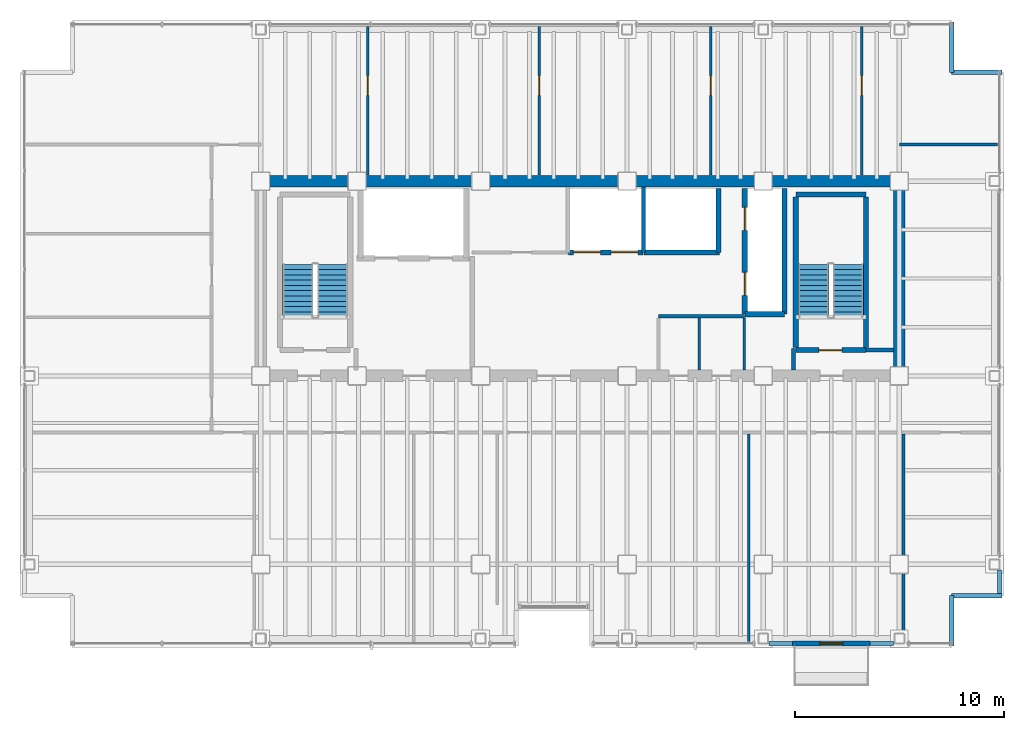
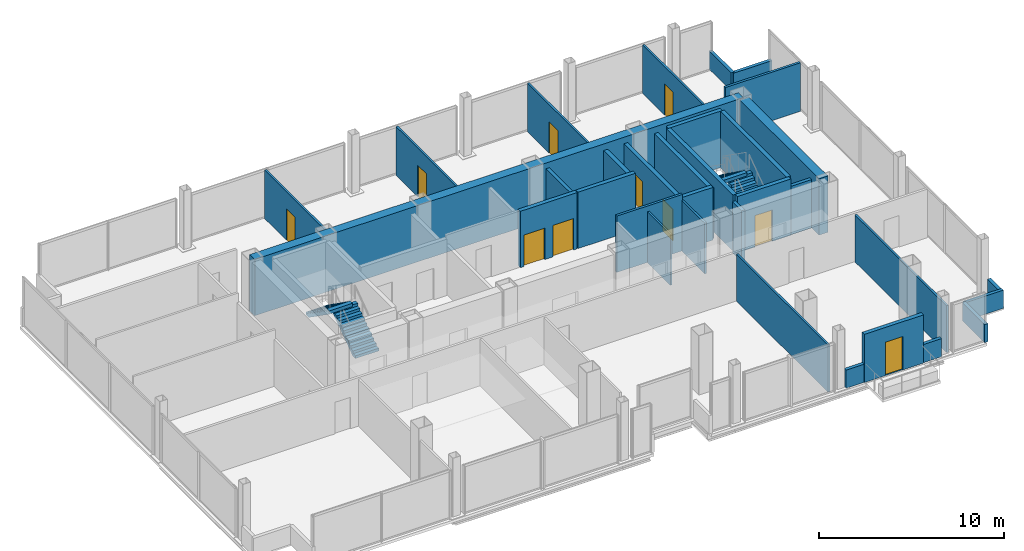
# One storey, part 17 of 19: 33 walls, 10 doors, 4 stair flights, 10 openings, 2 elements without a shape of their own.
"""IFC4 building model written with IfcOpenShell, lengths in metres."""

from ifc_helpers import new_model, si_unit, direction, frame, frame_2d, origin, place, context, subcontext, project, spatial, polyline, rectangle, outline, extrude, material, layer, layer_set, type_object, element, fill, aggregate, save


model = new_model("IFC4")

# Units and contexts
model_context = context("Model", 3, precision=1e-05, world=origin(), true_north=direction((0.0, 1.0)))
body_context = subcontext(model_context, "Body", "Model", "MODEL_VIEW")
ifc_project = project(units=[si_unit("LENGTHUNIT", "METRE"), si_unit("AREAUNIT", "SQUARE_METRE"), si_unit("VOLUMEUNIT", "CUBIC_METRE"), si_unit("PLANEANGLEUNIT", "RADIAN"), si_unit("MASSUNIT", "GRAM", prefix="KILO")], contexts=[model_context])

# Site, building, storey
site_placement = place(None, origin())
site = spatial("IfcSite", under=ifc_project, at=site_placement, CompositionType="ELEMENT")
building_placement = place(site_placement, origin())
building = spatial("IfcBuilding", under=site, at=building_placement, Name="Noeulbin Bourse Tower", CompositionType="ELEMENT")
storey_placement = place(building_placement, frame((0.0, 0.0, 150.0)))
storey = spatial("IfcBuildingStorey", under=building, at=storey_placement, Name="L37", CompositionType="ELEMENT", Elevation=150.0)

# Walls
ifc_material_1 = material(Name="Concrete C60/75", Category="concrete")
ifc_layer_1 = layer(ifc_material_1, 0.550048828125)
ifc_layer_set_1 = layer_set([ifc_layer_1], Name="Concrete C60/75")
wall_type_1 = type_object("IfcWallType", Name="WAL-CORE-550", PredefinedType="SHEAR", material=ifc_layer_set_1)
wall_1_placement = place(storey_placement, frame((13.5, 38.300048828125, 0.0), z_axis=(0.0, 0.0, 1.0), x_axis=(1.0, 0.0, 0.0)))
element("IfcWall", 1, at=wall_1_placement, inside=storey, type_object=wall_type_1, Name="Rear Core North Shear Wall L37", PredefinedType="SHEAR", context=body_context, shape_type="SweptSolid", body=[
    extrude(rectangle(XDim=30.5, YDim=0.550048828125, at=frame_2d((15.25, 0.0))), origin(), (0.0, 0.0, 1.0), 3.719970703125),
])
wall_2_placement = place(storey_placement, frame((44.0, 29.35009765625, 0.0), z_axis=(0.0, 0.0, 1.0), x_axis=(0.0, 1.0, 0.0)))
element("IfcWall", 2, at=wall_2_placement, inside=storey, type_object=wall_type_1, Name="Rear Core East Shear Wall L37", PredefinedType="SHEAR", context=body_context, shape_type="SweptSolid", body=[
    extrude(rectangle(XDim=8.599853515625, YDim=0.550048828125, at=frame_2d((4.2998046875, 0.0))), origin(), (0.0, 0.0, 1.0), 3.719970703125),
])

# Wall, opening, door
ifc_material_2 = material(Name="Precast Concrete C40/50", Category="concrete")
ifc_layer_2 = layer(ifc_material_2, 0.25)
ifc_layer_set_2 = layer_set([ifc_layer_2], Name="Precast Concrete C40/50")
wall_type_2 = type_object("IfcWallType", Name="WAL-EXT-250", PredefinedType="STANDARD", material=ifc_layer_set_2)
wall_3_placement = place(storey_placement, frame((38.89990234375, 16.219970703125, 0.0), z_axis=(0.0, 0.0, 1.0), x_axis=(1.0, 0.0, 0.0)))
wall_3 = element("IfcWall", 3, at=wall_3_placement, inside=storey, type_object=wall_type_2, Name="Balcony Threshold Wall L37", PredefinedType="STANDARD", context=body_context, shape_type="SweptSolid", body=[
    extrude(rectangle(XDim=3.7001953125, YDim=0.25, at=frame_2d((1.85009765625, 0.0))), origin(), (0.0, 0.0, 1.0), 3.179931640625),
])
opening_1_placement = place(wall_3_placement, frame((1.300048828125, 0.0, 0.0)))
opening_1 = element("IfcOpeningElement", 4, at=opening_1_placement, cuts=wall_3, Name="Opening BD-11", PredefinedType="OPENING", context=body_context, shape_type="SweptSolid", body=[
    extrude(rectangle(XDim=1.10009765625, YDim=2.199951171875, at=frame_2d((0.550048828125, 1.10009765625))), frame((0.0, 0.135009765625, 0.0), z_axis=(0.0, -1.0, 0.0), x_axis=(1.0, 0.0, 0.0)), (0.0, 0.0, 1.0), 0.27001953125),
])
ifc_material_3 = material(Name="Thermally Broken Aluminium Framed Glass", Category="aluminium")
door_type_1 = type_object("IfcDoorType", Name="DR-BAL-1100", OperationType="SINGLE_SWING_LEFT", PredefinedType="DOOR", material=ifc_material_3)
door_1_placement = place(opening_1_placement, origin())
door_1 = element("IfcDoor", 5, at=door_1_placement, inside=storey, type_object=door_type_1, Name="Tree-Balcony Access Door BD-L37", OperationType="SINGLE_SWING_LEFT", OverallHeight=2.199951171875, OverallWidth=1.10009765625, PredefinedType="DOOR", context=body_context, shape_type="SweptSolid", body=[
    extrude(rectangle(XDim=1.10009765625, YDim=2.199951171875, at=frame_2d((0.550048828125, 1.10009765625))), frame((0.0, 0.02490234375, 0.0), z_axis=(0.0, -1.0, 0.0), x_axis=(1.0, 0.0, 0.0)), (0.0, 0.0, 1.0), 0.050048828125),
])
fill(opening_1, door_1)

# Walls
ifc_material_4 = material(Name="Concrete C40/50", Category="concrete")
ifc_layer_3 = layer(ifc_material_4, 0.199951171875)
ifc_layer_set_3 = layer_set([ifc_layer_3], Name="Concrete C40/50")
wall_type_3 = type_object("IfcWallType", Name="WAL-FIRE-200", PredefinedType="STANDARD", material=ifc_layer_set_3)
wall_4_placement = place(storey_placement, frame((42.39990234375, 30.239990234375, 0.0), z_axis=(0.0, 0.0, 1.0), x_axis=(1.0, 0.0, 0.0)))
element("IfcWall", 6, at=wall_4_placement, inside=storey, type_object=wall_type_3, Name="Interior Partition Wall L37-01", PredefinedType="STANDARD", context=body_context, shape_type="SweptSolid", body=[
    extrude(rectangle(XDim=1.315185546875, YDim=0.199951171875, at=frame_2d((0.65771484375, 0.0))), origin(), (0.0, 0.0, 1.0), 3.199951171875),
])
wall_5_placement = place(storey_placement, frame((38.949951171875, 29.284912109375, 0.0), z_axis=(0.0, 0.0, 1.0), x_axis=(0.0, 1.0, 0.0)))
element("IfcWall", 7, at=wall_5_placement, inside=storey, type_object=wall_type_3, Name="Interior Partition Wall L37-10", PredefinedType="STANDARD", context=body_context, shape_type="SweptSolid", body=[
    extrude(rectangle(XDim=1.01513671875, YDim=0.199951171875, at=frame_2d((0.507568359375, 0.0))), origin(), (0.0, 0.0, 1.0), 3.35009765625),
])
ifc_layer_4 = layer(ifc_material_4, 0.199951171875)
ifc_layer_set_4 = layer_set([ifc_layer_4], Name="Concrete C40/50")
wall_type_4 = type_object("IfcWallType", Name="WAL-PAR-200", PredefinedType="PARAPET", material=ifc_layer_set_4)
for number, where, z_axis, x_axis, name in (
    (8, (48.780029296875, 18.60009765625, 0.0), (0.0, 0.0, 1.0), (0.0, 1.0, 0.0), "Perimeter Pier Spandrel Parapet L37-E2"),
    (9, (37.77001953125, 16.219970703125, 0.0), (0.0, 0.0, 1.0), (1.0, 0.0, 0.0), "Perimeter Pier Spandrel Parapet L37-S3"),
    (10, (42.60009765625, 16.219970703125, 0.0), (0.0, 0.0, 1.0), (1.0, 0.0, 0.0), "Perimeter Pier Spandrel Parapet L37-S4"),
):
    element("IfcWall", number, at=place(storey_placement, frame(where, z_axis=z_axis, x_axis=x_axis)), inside=storey, type_object=wall_type_4, Name=name, PredefinedType="PARAPET", context=body_context, shape_type="SweptSolid", body=[
        extrude(rectangle(XDim=1.1298828125, YDim=0.199951171875, at=frame_2d((0.56494140625, 0.0))), origin(), (0.0, 0.0, 1.0), 1.199951171875),
    ])
for number, where, z_axis, x_axis, name in (
    (11, (46.5, 16.10009765625, 0.0), (0.0, 0.0, 1.0), (0.0, 1.0, 0.0), "Corner Notch Parapet L37-SE1"),
    (12, (46.5, 18.5, 0.0), (0.0, 0.0, 1.0), (1.0, 0.0, 0.0), "Corner Notch Parapet L37-SE2"),
    (13, (46.5, 45.89990234375, 0.0), (0.0, 0.0, 1.0), (0.0, -1.0, 0.0), "Corner Notch Parapet L37-NE1"),
    (14, (46.5, 43.5, 0.0), (0.0, 0.0, 1.0), (1.0, 0.0, 0.0), "Corner Notch Parapet L37-NE2"),
):
    element("IfcWall", number, at=place(storey_placement, frame(where, z_axis=z_axis, x_axis=x_axis)), inside=storey, type_object=wall_type_4, Name=name, PredefinedType="PARAPET", context=body_context, shape_type="SweptSolid", body=[
        extrude(rectangle(XDim=2.39990234375, YDim=0.199951171875, at=frame_2d((1.199951171875, 0.0))), origin(), (0.0, 0.0, 1.0), 1.199951171875),
    ])
ifc_material_5 = material(Name="Steel Stud Gypsum Partition", Category="steel")
ifc_layer_5 = layer(ifc_material_5, 0.1201171875)
ifc_layer_set_5 = layer_set([ifc_layer_5], Name="Steel Stud Gypsum Partition")
wall_type_5 = type_object("IfcWallType", Name="WAL-PRT-120", PredefinedType="PARTITIONING", material=ifc_layer_set_5)
for number, where, z_axis, x_axis, name in (
    (15, (36.60009765625, 29.284912109375, 0.0), (0.0, 0.0, 1.0), (0.0, 1.0, 0.0), "Interior Partition Wall L37-13"),
    (16, (34.449951171875, 29.284912109375, 0.0), (0.0, 0.0, 1.0), (0.0, 1.0, 0.0), "Interior Partition Wall L37-14"),
):
    element("IfcWall", number, at=place(storey_placement, frame(where, z_axis=z_axis, x_axis=x_axis)), inside=storey, type_object=wall_type_5, Name=name, PredefinedType="PARTITIONING", context=body_context, shape_type="SweptSolid", body=[
        extrude(rectangle(XDim=2.47998046875, YDim=0.1201171875, at=frame_2d((1.239990234375, 0.0))), origin(), (0.0, 0.0, 1.0), 3.35009765625),
    ])
for number, where, z_axis, x_axis, name in (
    (17, (36.800048828125, 16.31005859375, 0.0), (0.0, 0.0, 1.0), (0.0, 1.0, 0.0), "Interior Partition Wall L37-19"),
    (18, (44.199951171875, 16.31005859375, 0.0), (0.0, 0.0, 1.0), (0.0, 1.0, 0.0), "Interior Partition Wall L37-20"),
):
    element("IfcWall", number, at=place(storey_placement, frame(where, z_axis=z_axis, x_axis=x_axis)), inside=storey, type_object=wall_type_5, Name=name, PredefinedType="PARTITIONING", context=body_context, shape_type="SweptSolid", body=[
        extrude(rectangle(XDim=9.905029296875, YDim=0.1201171875, at=frame_2d((4.95263671875, 0.0))), origin(), (0.0, 0.0, 1.0), 3.10009765625),
    ])

# Wall, opening, door
wall_6_placement = place(storey_placement, frame((18.60009765625, 38.5849609375, 0.0), z_axis=(0.0, 0.0, 1.0), x_axis=(0.0, 1.0, 0.0)))
wall_6 = element("IfcWall", 19, at=wall_6_placement, inside=storey, type_object=wall_type_5, Name="Interior Partition Wall L37-21", PredefinedType="PARTITIONING", context=body_context, shape_type="SweptSolid", body=[
    extrude(rectangle(XDim=7.10498046875, YDim=0.1201171875, at=frame_2d((3.552490234375, 0.0))), origin(), (0.0, 0.0, 1.0), 3.2119140625),
])
opening_2_placement = place(wall_6_placement, frame((3.81005859375, 0.0, 0.0)))
opening_2 = element("IfcOpeningElement", 20, at=opening_2_placement, cuts=wall_6, Name="Opening ID-09", PredefinedType="OPENING", context=body_context, shape_type="SweptSolid", body=[
    extrude(rectangle(XDim=0.949951171875, YDim=2.080078125, at=frame_2d((0.47509765625, 1.0400390625))), frame((0.0, 0.070068359375, 0.0), z_axis=(0.0, -1.0, 0.0), x_axis=(1.0, 0.0, 0.0)), (0.0, 0.0, 1.0), 0.14013671875),
])
ifc_material_6 = material(Name="Acoustic Solid-Core Timber", Category="wood")
door_type_2 = type_object("IfcDoorType", Name="DR-SINGLE-950", OperationType="SINGLE_SWING_LEFT", PredefinedType="DOOR", material=ifc_material_6)
door_2_placement = place(opening_2_placement, origin())
door_2 = element("IfcDoor", 21, at=door_2_placement, inside=storey, type_object=door_type_2, Name="Interior Door L37-18", OperationType="SINGLE_SWING_LEFT", OverallHeight=2.080078125, OverallWidth=0.949951171875, PredefinedType="DOOR", context=body_context, shape_type="SweptSolid", body=[
    extrude(rectangle(XDim=0.949951171875, YDim=2.080078125, at=frame_2d((0.47509765625, 1.0400390625))), frame((0.0, 0.02490234375, 0.0), z_axis=(0.0, -1.0, 0.0), x_axis=(1.0, 0.0, 0.0)), (0.0, 0.0, 1.0), 0.050048828125),
])
fill(opening_2, door_2)

wall_7_placement = place(storey_placement, frame((26.800048828125, 38.5849609375, 0.0), z_axis=(0.0, 0.0, 1.0), x_axis=(0.0, 1.0, 0.0)))
wall_7 = element("IfcWall", 22, at=wall_7_placement, inside=storey, type_object=wall_type_5, Name="Interior Partition Wall L37-22", PredefinedType="PARTITIONING", context=body_context, shape_type="SweptSolid", body=[
    extrude(rectangle(XDim=7.10498046875, YDim=0.1201171875, at=frame_2d((3.552490234375, 0.0))), origin(), (0.0, 0.0, 1.0), 3.2119140625),
])
opening_3_placement = place(wall_7_placement, frame((3.81005859375, 0.0, 0.0)))
opening_3 = element("IfcOpeningElement", 23, at=opening_3_placement, cuts=wall_7, Name="Opening ID-09", PredefinedType="OPENING", context=body_context, shape_type="SweptSolid", body=[
    extrude(rectangle(XDim=0.949951171875, YDim=2.080078125, at=frame_2d((0.47509765625, 1.0400390625))), frame((0.0, 0.070068359375, 0.0), z_axis=(0.0, -1.0, 0.0), x_axis=(1.0, 0.0, 0.0)), (0.0, 0.0, 1.0), 0.14013671875),
])
door_3_placement = place(opening_3_placement, origin())
door_3 = element("IfcDoor", 24, at=door_3_placement, inside=storey, type_object=door_type_2, Name="Interior Door L37-19", OperationType="SINGLE_SWING_RIGHT", OverallHeight=2.080078125, OverallWidth=0.949951171875, PredefinedType="DOOR", context=body_context, shape_type="SweptSolid", body=[
    extrude(rectangle(XDim=0.949951171875, YDim=2.080078125, at=frame_2d((0.47509765625, 1.0400390625))), frame((0.0, 0.02490234375, 0.0), z_axis=(0.0, -1.0, 0.0), x_axis=(1.0, 0.0, 0.0)), (0.0, 0.0, 1.0), 0.050048828125),
])
fill(opening_3, door_3)

wall_8_placement = place(storey_placement, frame((35.0, 38.5849609375, 0.0), z_axis=(0.0, 0.0, 1.0), x_axis=(0.0, 1.0, 0.0)))
wall_8 = element("IfcWall", 25, at=wall_8_placement, inside=storey, type_object=wall_type_5, Name="Interior Partition Wall L37-23", PredefinedType="PARTITIONING", context=body_context, shape_type="SweptSolid", body=[
    extrude(rectangle(XDim=7.10498046875, YDim=0.1201171875, at=frame_2d((3.552490234375, 0.0))), origin(), (0.0, 0.0, 1.0), 3.2119140625),
])
opening_4_placement = place(wall_8_placement, frame((3.81005859375, 0.0, 0.0)))
opening_4 = element("IfcOpeningElement", 26, at=opening_4_placement, cuts=wall_8, Name="Opening ID-09", PredefinedType="OPENING", context=body_context, shape_type="SweptSolid", body=[
    extrude(rectangle(XDim=0.949951171875, YDim=2.080078125, at=frame_2d((0.47509765625, 1.0400390625))), frame((0.0, 0.070068359375, 0.0), z_axis=(0.0, -1.0, 0.0), x_axis=(1.0, 0.0, 0.0)), (0.0, 0.0, 1.0), 0.14013671875),
])
door_4_placement = place(opening_4_placement, origin())
door_4 = element("IfcDoor", 27, at=door_4_placement, inside=storey, type_object=door_type_2, Name="Interior Door L37-20", OperationType="SINGLE_SWING_LEFT", OverallHeight=2.080078125, OverallWidth=0.949951171875, PredefinedType="DOOR", context=body_context, shape_type="SweptSolid", body=[
    extrude(rectangle(XDim=0.949951171875, YDim=2.080078125, at=frame_2d((0.47509765625, 1.0400390625))), frame((0.0, 0.02490234375, 0.0), z_axis=(0.0, -1.0, 0.0), x_axis=(1.0, 0.0, 0.0)), (0.0, 0.0, 1.0), 0.050048828125),
])
fill(opening_4, door_4)

wall_9_placement = place(storey_placement, frame((42.199951171875, 38.5849609375, 0.0), z_axis=(0.0, 0.0, 1.0), x_axis=(0.0, 1.0, 0.0)))
wall_9 = element("IfcWall", 28, at=wall_9_placement, inside=storey, type_object=wall_type_5, Name="Interior Partition Wall L37-24", PredefinedType="PARTITIONING", context=body_context, shape_type="SweptSolid", body=[
    extrude(rectangle(XDim=7.10498046875, YDim=0.1201171875, at=frame_2d((3.552490234375, 0.0))), origin(), (0.0, 0.0, 1.0), 3.2119140625),
])
opening_5_placement = place(wall_9_placement, frame((3.81005859375, 0.0, 0.0)))
opening_5 = element("IfcOpeningElement", 29, at=opening_5_placement, cuts=wall_9, Name="Opening ID-09", PredefinedType="OPENING", context=body_context, shape_type="SweptSolid", body=[
    extrude(rectangle(XDim=0.949951171875, YDim=2.080078125, at=frame_2d((0.47509765625, 1.0400390625))), frame((0.0, 0.070068359375, 0.0), z_axis=(0.0, -1.0, 0.0), x_axis=(1.0, 0.0, 0.0)), (0.0, 0.0, 1.0), 0.14013671875),
])
door_5_placement = place(opening_5_placement, origin())
door_5 = element("IfcDoor", 30, at=door_5_placement, inside=storey, type_object=door_type_2, Name="Interior Door L37-21", OperationType="SINGLE_SWING_RIGHT", OverallHeight=2.080078125, OverallWidth=0.949951171875, PredefinedType="DOOR", context=body_context, shape_type="SweptSolid", body=[
    extrude(rectangle(XDim=0.949951171875, YDim=2.080078125, at=frame_2d((0.47509765625, 1.0400390625))), frame((0.0, 0.02490234375, 0.0), z_axis=(0.0, -1.0, 0.0), x_axis=(1.0, 0.0, 0.0)), (0.0, 0.0, 1.0), 0.050048828125),
])
fill(opening_5, door_5)

# Walls
ifc_material_7 = material(Name="Steel Stud Acoustic Gypsum Board", Category="steel")
ifc_layer_6 = layer(ifc_material_7, 0.14990234375)
ifc_layer_set_6 = layer_set([ifc_layer_6], Name="Steel Stud Acoustic Gypsum Board")
wall_type_6 = type_object("IfcWallType", Name="WAL-PRT-150", PredefinedType="PARTITIONING", material=ifc_layer_set_6)
wall_10_placement = place(storey_placement, frame((32.5, 31.85009765625, 0.0), z_axis=(0.0, 0.0, 1.0), x_axis=(1.0, 0.0, 0.0)))
element("IfcWall", 31, at=wall_10_placement, inside=storey, type_object=wall_type_6, Name="Interior Partition Wall L37-03", PredefinedType="PARTITIONING", context=body_context, shape_type="SweptSolid", body=[
    extrude(rectangle(XDim=4.10009765625, YDim=0.14990234375, at=frame_2d((2.050048828125, 0.0))), origin(), (0.0, 0.0, 1.0), 3.719970703125),
])
wall_11_placement = place(storey_placement, frame((44.0, 40.050048828125, 0.0), z_axis=(0.0, 0.0, 1.0), x_axis=(1.0, 0.0, 0.0)))
element("IfcWall", 32, at=wall_11_placement, inside=storey, type_object=wall_type_6, Name="Interior Partition Wall L37-08", PredefinedType="PARTITIONING", context=body_context, shape_type="SweptSolid", body=[
    extrude(rectangle(XDim=4.68994140625, YDim=0.14990234375, at=frame_2d((2.344970703125, 0.0))), origin(), (0.0, 0.0, 1.0), 3.199951171875),
])

# Wall, opening, door
ifc_layer_7 = layer(ifc_material_4, 0.25)
ifc_layer_set_7 = layer_set([ifc_layer_7], Name="Concrete C40/50")
wall_type_7 = type_object("IfcWallType", Name="WAL-SHFT-250", PredefinedType="STANDARD", material=ifc_layer_set_7)
wall_12_placement = place(storey_placement, frame((39.06005859375, 30.235107421875, 0.0), z_axis=(0.0, 0.0, 1.0), x_axis=(1.0, 0.0, 0.0)))
wall_12 = element("IfcWall", 33, at=wall_12_placement, inside=storey, type_object=wall_type_7, Name="Stair ST-2 South Shaft Wall L37", PredefinedType="STANDARD", context=body_context, shape_type="SweptSolid", body=[
    extrude(rectangle(XDim=3.33984375, YDim=0.25, at=frame_2d((1.669921875, 0.0))), origin(), (0.0, 0.0, 1.0), 3.719970703125),
])
opening_6_placement = place(wall_12_placement, frame((1.10009765625, 0.0, 0.0)))
opening_6 = element("IfcOpeningElement", 34, at=opening_6_placement, cuts=wall_12, Name="Opening FD-11", PredefinedType="OPENING", context=body_context, shape_type="SweptSolid", body=[
    extrude(rectangle(XDim=1.10009765625, YDim=2.080078125, at=frame_2d((0.550048828125, 1.0400390625))), frame((0.0, 0.135009765625, 0.0), z_axis=(0.0, -1.0, 0.0), x_axis=(1.0, 0.0, 0.0)), (0.0, 0.0, 1.0), 0.27001953125),
])
ifc_material_8 = material(Name="Fire-Rated Insulated Steel", Category="steel")
door_type_3 = type_object("IfcDoorType", Name="DR-FD60-1100", OperationType="SINGLE_SWING_LEFT", PredefinedType="DOOR", material=ifc_material_8)
door_6_placement = place(opening_6_placement, origin())
door_6 = element("IfcDoor", 35, at=door_6_placement, inside=storey, type_object=door_type_3, Name="Protected Stair Entry Door ST2-L37", OperationType="SINGLE_SWING_LEFT", OverallHeight=2.080078125, OverallWidth=1.10009765625, PredefinedType="DOOR", context=body_context, shape_type="SweptSolid", body=[
    extrude(rectangle(XDim=1.10009765625, YDim=2.080078125, at=frame_2d((0.550048828125, 1.0400390625))), frame((0.0, 0.02490234375, 0.0), z_axis=(0.0, -1.0, 0.0), x_axis=(1.0, 0.0, 0.0)), (0.0, 0.0, 1.0), 0.050048828125),
])
fill(opening_6, door_6)

# Walls
wall_13_placement = place(storey_placement, frame((39.06005859375, 37.6689453125, 0.0), z_axis=(0.0, 0.0, 1.0), x_axis=(1.0, 0.0, 0.0)))
element("IfcWall", 36, at=wall_13_placement, inside=storey, type_object=wall_type_7, Name="Stair ST-2 North Shaft Wall L37", PredefinedType="STANDARD", context=body_context, shape_type="SweptSolid", body=[
    extrude(rectangle(XDim=3.33984375, YDim=0.25, at=frame_2d((1.669921875, 0.0))), origin(), (0.0, 0.0, 1.0), 3.719970703125),
])
for number, where, z_axis, x_axis, name in (
    (37, (39.054931640625, 30.360107421875, 0.0), (0.0, 0.0, 1.0), (0.0, 1.0, 0.0), "Stair ST-2 West Shaft Wall L37"),
    (38, (42.405029296875, 30.360107421875, 0.0), (0.0, 0.0, 1.0), (0.0, 1.0, 0.0), "Stair ST-2 East Shaft Wall L37"),
):
    element("IfcWall", number, at=place(storey_placement, frame(where, z_axis=z_axis, x_axis=x_axis)), inside=storey, type_object=wall_type_7, Name=name, PredefinedType="STANDARD", context=body_context, shape_type="SweptSolid", body=[
        extrude(rectangle(XDim=7.183837890625, YDim=0.25, at=frame_2d((3.591796875, 0.0))), origin(), (0.0, 0.0, 1.0), 3.719970703125),
    ])

# Wall, openings, doors
wall_14_placement = place(storey_placement, frame((36.6201171875, 31.949951171875, 0.0), z_axis=(0.0, 0.0, 1.0), x_axis=(0.0, 1.0, 0.0)))
wall_14 = element("IfcWall", 39, at=wall_14_placement, inside=storey, type_object=wall_type_7, Name="Service Lift Shaft Wall L37", PredefinedType="STANDARD", context=body_context, shape_type="SweptSolid", body=[
    extrude(rectangle(XDim=6.0, YDim=0.25, at=frame_2d((3.0, 0.0))), origin(), (0.0, 0.0, 1.0), 3.35009765625),
])
opening_7_placement = place(wall_14_placement, frame((0.89990234375, 0.0, 0.0)))
opening_7 = element("IfcOpeningElement", 40, at=opening_7_placement, cuts=wall_14, Name="Opening LD-11", PredefinedType="OPENING", context=body_context, shape_type="SweptSolid", body=[
    extrude(rectangle(XDim=1.10009765625, YDim=2.080078125, at=frame_2d((0.550048828125, 1.0400390625))), frame((0.0, 0.135009765625, 0.0), z_axis=(0.0, -1.0, 0.0), x_axis=(1.0, 0.0, 0.0)), (0.0, 0.0, 1.0), 0.27001953125),
])
opening_8_placement = place(wall_14_placement, frame((4.0, 0.0, 0.0)))
opening_8 = element("IfcOpeningElement", 41, at=opening_8_placement, cuts=wall_14, Name="Opening LD-11", PredefinedType="OPENING", context=body_context, shape_type="SweptSolid", body=[
    extrude(rectangle(XDim=1.10009765625, YDim=2.080078125, at=frame_2d((0.550048828125, 1.0400390625))), frame((0.0, 0.135009765625, 0.0), z_axis=(0.0, -1.0, 0.0), x_axis=(1.0, 0.0, 0.0)), (0.0, 0.0, 1.0), 0.27001953125),
])
ifc_material_9 = material(Name="Brushed Stainless Steel 316", Category="steel")
door_type_4 = type_object("IfcDoorType", Name="DR-LIFT-1100", OperationType="SLIDING_TO_LEFT", PredefinedType="DOOR", material=ifc_material_9)
door_7_placement = place(opening_7_placement, origin())
door_7 = element("IfcDoor", 42, at=door_7_placement, inside=storey, type_object=door_type_4, Name="Lift Landing Door LD-EL-01-L37", OperationType="SLIDING_TO_LEFT", OverallHeight=2.080078125, OverallWidth=1.10009765625, PredefinedType="DOOR", context=body_context, shape_type="SweptSolid", body=[
    extrude(rectangle(XDim=1.10009765625, YDim=2.080078125, at=frame_2d((0.550048828125, 1.0400390625))), frame((0.0, 0.02490234375, 0.0), z_axis=(0.0, -1.0, 0.0), x_axis=(1.0, 0.0, 0.0)), (0.0, 0.0, 1.0), 0.050048828125),
])
fill(opening_7, door_7)
door_8_placement = place(opening_8_placement, origin())
door_8 = element("IfcDoor", 43, at=door_8_placement, inside=storey, type_object=door_type_4, Name="Lift Landing Door LD-SV-01-L37", OperationType="SLIDING_TO_LEFT", OverallHeight=2.080078125, OverallWidth=1.10009765625, PredefinedType="DOOR", context=body_context, shape_type="SweptSolid", body=[
    extrude(rectangle(XDim=1.10009765625, YDim=2.080078125, at=frame_2d((0.550048828125, 1.0400390625))), frame((0.0, 0.02490234375, 0.0), z_axis=(0.0, -1.0, 0.0), x_axis=(1.0, 0.0, 0.0)), (0.0, 0.0, 1.0), 0.050048828125),
])
fill(opening_8, door_8)

# Walls
wall_15_placement = place(storey_placement, frame((38.52001953125, 31.949951171875, 0.0), z_axis=(0.0, 0.0, 1.0), x_axis=(0.0, 1.0, 0.0)))
element("IfcWall", 44, at=wall_15_placement, inside=storey, type_object=wall_type_7, Name="Service Lift East Shaft Wall L37", PredefinedType="STANDARD", context=body_context, shape_type="SweptSolid", body=[
    extrude(rectangle(XDim=6.0, YDim=0.25, at=frame_2d((3.0, 0.0))), origin(), (0.0, 0.0, 1.0), 3.35009765625),
])
wall_16_placement = place(storey_placement, frame((36.6201171875, 31.949951171875, 0.0), z_axis=(0.0, 0.0, 1.0), x_axis=(1.0, 0.0, 0.0)))
element("IfcWall", 45, at=wall_16_placement, inside=storey, type_object=wall_type_7, Name="Service Lift South Shaft Wall L37", PredefinedType="STANDARD", context=body_context, shape_type="SweptSolid", body=[
    extrude(rectangle(XDim=1.89990234375, YDim=0.25, at=frame_2d((0.949951171875, 0.0))), origin(), (0.0, 0.0, 1.0), 3.47998046875),
])
wall_17_placement = place(storey_placement, frame((35.360107421875, 34.89990234375, 0.0), z_axis=(0.0, 0.0, 1.0), x_axis=(0.0, 1.0, 0.0)))
element("IfcWall", 46, at=wall_17_placement, inside=storey, type_object=wall_type_7, Name="High-Rise Lift East Shaft Wall L37", PredefinedType="STANDARD", context=body_context, shape_type="SweptSolid", body=[
    extrude(rectangle(XDim=3.050048828125, YDim=0.25, at=frame_2d((1.52490234375, 0.0))), origin(), (0.0, 0.0, 1.0), 3.35009765625),
])

# Wall, openings, doors
wall_18_placement = place(storey_placement, frame((28.199951171875, 34.89990234375, 0.0), z_axis=(0.0, 0.0, 1.0), x_axis=(1.0, 0.0, 0.0)))
wall_18 = element("IfcWall", 47, at=wall_18_placement, inside=storey, type_object=wall_type_7, Name="Mid-Rise Lift Bank Front L37", PredefinedType="STANDARD", context=body_context, shape_type="SweptSolid", body=[
    extrude(rectangle(XDim=3.550048828125, YDim=0.25, at=frame_2d((1.77490234375, 0.0))), origin(), (0.0, 0.0, 1.0), 3.719970703125),
])
opening_9_placement = place(wall_18_placement, frame((0.22998046875, 0.0, 0.0)))
opening_9 = element("IfcOpeningElement", 48, at=opening_9_placement, cuts=wall_18, Name="Opening LD-13", PredefinedType="OPENING", context=body_context, shape_type="SweptSolid", body=[
    extrude(rectangle(XDim=1.300048828125, YDim=2.080078125, at=frame_2d((0.64990234375, 1.0400390625))), frame((0.0, 0.135009765625, 0.0), z_axis=(0.0, -1.0, 0.0), x_axis=(1.0, 0.0, 0.0)), (0.0, 0.0, 1.0), 0.27001953125),
])
opening_10_placement = place(wall_18_placement, frame((2.030029296875, 0.0, 0.0)))
opening_10 = element("IfcOpeningElement", 49, at=opening_10_placement, cuts=wall_18, Name="Opening LD-13", PredefinedType="OPENING", context=body_context, shape_type="SweptSolid", body=[
    extrude(rectangle(XDim=1.300048828125, YDim=2.080078125, at=frame_2d((0.64990234375, 1.0400390625))), frame((0.0, 0.135009765625, 0.0), z_axis=(0.0, -1.0, 0.0), x_axis=(1.0, 0.0, 0.0)), (0.0, 0.0, 1.0), 0.27001953125),
])
door_type_5 = type_object("IfcDoorType", Name="DR-LIFT-1300", OperationType="DOUBLE_DOOR_SLIDING", PredefinedType="DOOR", material=ifc_material_9)
door_9_placement = place(opening_9_placement, origin())
door_9 = element("IfcDoor", 50, at=door_9_placement, inside=storey, type_object=door_type_5, Name="Lift Landing Door LD-PL-M1-L37", OperationType="DOUBLE_DOOR_SLIDING", OverallHeight=2.080078125, OverallWidth=1.300048828125, PredefinedType="DOOR", context=body_context, shape_type="SweptSolid", body=[
    extrude(rectangle(XDim=1.300048828125, YDim=2.080078125, at=frame_2d((0.64990234375, 1.0400390625))), frame((0.0, 0.02490234375, 0.0), z_axis=(0.0, -1.0, 0.0), x_axis=(1.0, 0.0, 0.0)), (0.0, 0.0, 1.0), 0.050048828125),
])
fill(opening_9, door_9)
door_10_placement = place(opening_10_placement, origin())
door_10 = element("IfcDoor", 51, at=door_10_placement, inside=storey, type_object=door_type_5, Name="Lift Landing Door LD-PL-M2-L37", OperationType="DOUBLE_DOOR_SLIDING", OverallHeight=2.080078125, OverallWidth=1.300048828125, PredefinedType="DOOR", context=body_context, shape_type="SweptSolid", body=[
    extrude(rectangle(XDim=1.300048828125, YDim=2.080078125, at=frame_2d((0.64990234375, 1.0400390625))), frame((0.0, 0.02490234375, 0.0), z_axis=(0.0, -1.0, 0.0), x_axis=(1.0, 0.0, 0.0)), (0.0, 0.0, 1.0), 0.050048828125),
])
fill(opening_10, door_10)

# Walls
wall_19_placement = place(storey_placement, frame((31.800048828125, 34.89990234375, 0.0), z_axis=(0.0, 0.0, 1.0), x_axis=(1.0, 0.0, 0.0)))
element("IfcWall", 52, at=wall_19_placement, inside=storey, type_object=wall_type_7, Name="High-Rise Lift Bank Front L37", PredefinedType="STANDARD", context=body_context, shape_type="SweptSolid", body=[
    extrude(rectangle(XDim=3.599853515625, YDim=0.25, at=frame_2d((1.7998046875, 0.0))), origin(), (0.0, 0.0, 1.0), 3.719970703125),
])
wall_20_placement = place(storey_placement, frame((31.780029296875, 34.89990234375, 0.0), z_axis=(0.0, 0.0, 1.0), x_axis=(0.0, 1.0, 0.0)))
element("IfcWall", 53, at=wall_20_placement, inside=storey, type_object=wall_type_7, Name="Hoistway Side Shaft Wall L37-PLHW", PredefinedType="STANDARD", context=body_context, shape_type="SweptSolid", body=[
    extrude(rectangle(XDim=3.1201171875, YDim=0.199951171875, at=frame_2d((1.56005859375, 0.0))), origin(), (0.0, 0.0, 1.0), 3.35009765625),
])

# Stair, stair flights
stair_type = type_object("IfcStairType", Name="STR-CORE-1560", PredefinedType="HALF_TURN_STAIR", material=ifc_material_4)
stair_1_placement = place(storey_placement, origin())
stair_1 = element("IfcStair", 54, at=stair_1_placement, inside=storey, type_object=stair_type, Name="L37 ST-1", PredefinedType="HALF_TURN_STAIR")
stair_flight_type = type_object("IfcStairFlightType", Name="SFL-CORE-1560", PredefinedType="STRAIGHT", material=ifc_material_4)
stair_flight_1_placement = place(storey_placement, frame((16.925048828125, 31.81005859375, 0.0), z_axis=(0.0, 0.0, 1.0), x_axis=(0.0, 1.0, 0.0)))
stair_flight_1 = element("IfcStairFlight", 55, at=stair_flight_1_placement, type_object=stair_flight_type, Name="ST-1 flight 1", NumberOfRisers=11, NumberOfTreads=10, PredefinedType="STRAIGHT", RiserHeight=0.177272727, TreadLength=0.252, context=body_context, shape_type="SweptSolid", body=[
    extrude(outline(polyline([(0.0, 0.0), (0.0, 0.17724609375), (0.251953125, 0.17724609375), (0.251953125, 0.3544921875), (0.50390625, 0.3544921875), (0.50390625, 0.53173828125), (0.756103515625, 0.53173828125), (0.756103515625, 0.708984375), (1.008056640625, 0.708984375), (1.008056640625, 0.886474609375), (1.260009765625, 0.886474609375), (1.260009765625, 1.063720703125), (1.511962890625, 1.063720703125), (1.511962890625, 1.240966796875), (1.763916015625, 1.240966796875), (1.763916015625, 1.418212890625), (2.01611328125, 1.418212890625), (2.01611328125, 1.595458984375), (2.26806640625, 1.595458984375), (2.26806640625, 1.772705078125), (2.52001953125, 1.772705078125), (2.52001953125, 1.949951171875), (2.52001953125, 1.552734375), (0.312744140625, 0.0), (0.0, 0.0)])), frame((0.0, 0.72509765625, 0.0), z_axis=(0.0, -1.0, 0.0), x_axis=(1.0, 0.0, 0.0)), (0.0, 0.0, 1.0), 1.449951171875),
])
stair_flight_2_placement = place(storey_placement, frame((15.27490234375, 34.330078125, 1.949951171875), z_axis=(0.0, 0.0, 1.0), x_axis=(0.0, -1.0, 0.0)))
stair_flight_2 = element("IfcStairFlight", 56, at=stair_flight_2_placement, type_object=stair_flight_type, Name="ST-1 flight 2", NumberOfRisers=11, NumberOfTreads=10, PredefinedType="STRAIGHT", RiserHeight=0.177272727, TreadLength=0.252, context=body_context, shape_type="SweptSolid", body=[
    extrude(outline(polyline([(0.0, 0.0), (0.0, 0.17724609375), (0.251953125, 0.17724609375), (0.251953125, 0.3544921875), (0.50390625, 0.3544921875), (0.50390625, 0.53173828125), (0.756103515625, 0.53173828125), (0.756103515625, 0.708984375), (1.008056640625, 0.708984375), (1.008056640625, 0.886474609375), (1.260009765625, 0.886474609375), (1.260009765625, 1.063720703125), (1.511962890625, 1.063720703125), (1.511962890625, 1.240966796875), (1.763916015625, 1.240966796875), (1.763916015625, 1.418212890625), (2.01611328125, 1.418212890625), (2.01611328125, 1.595458984375), (2.26806640625, 1.595458984375), (2.26806640625, 1.772705078125), (2.52001953125, 1.772705078125), (2.52001953125, 1.949951171875), (2.52001953125, 1.552734375), (0.312744140625, 0.0), (0.0, 0.0)])), frame((0.0, 0.72509765625, 0.0), z_axis=(0.0, -1.0, 0.0), x_axis=(1.0, 0.0, 0.0)), (0.0, 0.0, 1.0), 1.449951171875),
])
aggregate(stair_1, [stair_flight_1, stair_flight_2])

stair_2_placement = place(storey_placement, origin())
stair_2 = element("IfcStair", 57, at=stair_2_placement, inside=storey, type_object=stair_type, Name="L37 ST-2", PredefinedType="HALF_TURN_STAIR")
stair_flight_3_placement = place(storey_placement, frame((41.554931640625, 31.81005859375, 0.0), z_axis=(0.0, 0.0, 1.0), x_axis=(0.0, 1.0, 0.0)))
stair_flight_3 = element("IfcStairFlight", 58, at=stair_flight_3_placement, type_object=stair_flight_type, Name="ST-2 flight 1", NumberOfRisers=11, NumberOfTreads=10, PredefinedType="STRAIGHT", RiserHeight=0.177272727, TreadLength=0.252, context=body_context, shape_type="SweptSolid", body=[
    extrude(outline(polyline([(0.0, 0.0), (0.0, 0.17724609375), (0.251953125, 0.17724609375), (0.251953125, 0.3544921875), (0.50390625, 0.3544921875), (0.50390625, 0.53173828125), (0.756103515625, 0.53173828125), (0.756103515625, 0.708984375), (1.008056640625, 0.708984375), (1.008056640625, 0.886474609375), (1.260009765625, 0.886474609375), (1.260009765625, 1.063720703125), (1.511962890625, 1.063720703125), (1.511962890625, 1.240966796875), (1.763916015625, 1.240966796875), (1.763916015625, 1.418212890625), (2.01611328125, 1.418212890625), (2.01611328125, 1.595458984375), (2.26806640625, 1.595458984375), (2.26806640625, 1.772705078125), (2.52001953125, 1.772705078125), (2.52001953125, 1.949951171875), (2.52001953125, 1.552734375), (0.312744140625, 0.0), (0.0, 0.0)])), frame((0.0, 0.72509765625, 0.0), z_axis=(0.0, -1.0, 0.0), x_axis=(1.0, 0.0, 0.0)), (0.0, 0.0, 1.0), 1.449951171875),
])
stair_flight_4_placement = place(storey_placement, frame((39.905029296875, 34.330078125, 1.949951171875), z_axis=(0.0, 0.0, 1.0), x_axis=(0.0, -1.0, 0.0)))
stair_flight_4 = element("IfcStairFlight", 59, at=stair_flight_4_placement, type_object=stair_flight_type, Name="ST-2 flight 2", NumberOfRisers=11, NumberOfTreads=10, PredefinedType="STRAIGHT", RiserHeight=0.177272727, TreadLength=0.252, context=body_context, shape_type="SweptSolid", body=[
    extrude(outline(polyline([(0.0, 0.0), (0.0, 0.17724609375), (0.251953125, 0.17724609375), (0.251953125, 0.3544921875), (0.50390625, 0.3544921875), (0.50390625, 0.53173828125), (0.756103515625, 0.53173828125), (0.756103515625, 0.708984375), (1.008056640625, 0.708984375), (1.008056640625, 0.886474609375), (1.260009765625, 0.886474609375), (1.260009765625, 1.063720703125), (1.511962890625, 1.063720703125), (1.511962890625, 1.240966796875), (1.763916015625, 1.240966796875), (1.763916015625, 1.418212890625), (2.01611328125, 1.418212890625), (2.01611328125, 1.595458984375), (2.26806640625, 1.595458984375), (2.26806640625, 1.772705078125), (2.52001953125, 1.772705078125), (2.52001953125, 1.949951171875), (2.52001953125, 1.552734375), (0.312744140625, 0.0), (0.0, 0.0)])), frame((0.0, 0.72509765625, 0.0), z_axis=(0.0, -1.0, 0.0), x_axis=(1.0, 0.0, 0.0)), (0.0, 0.0, 1.0), 1.449951171875),
])
aggregate(stair_2, [stair_flight_3, stair_flight_4])

save(model, "model.ifc")
